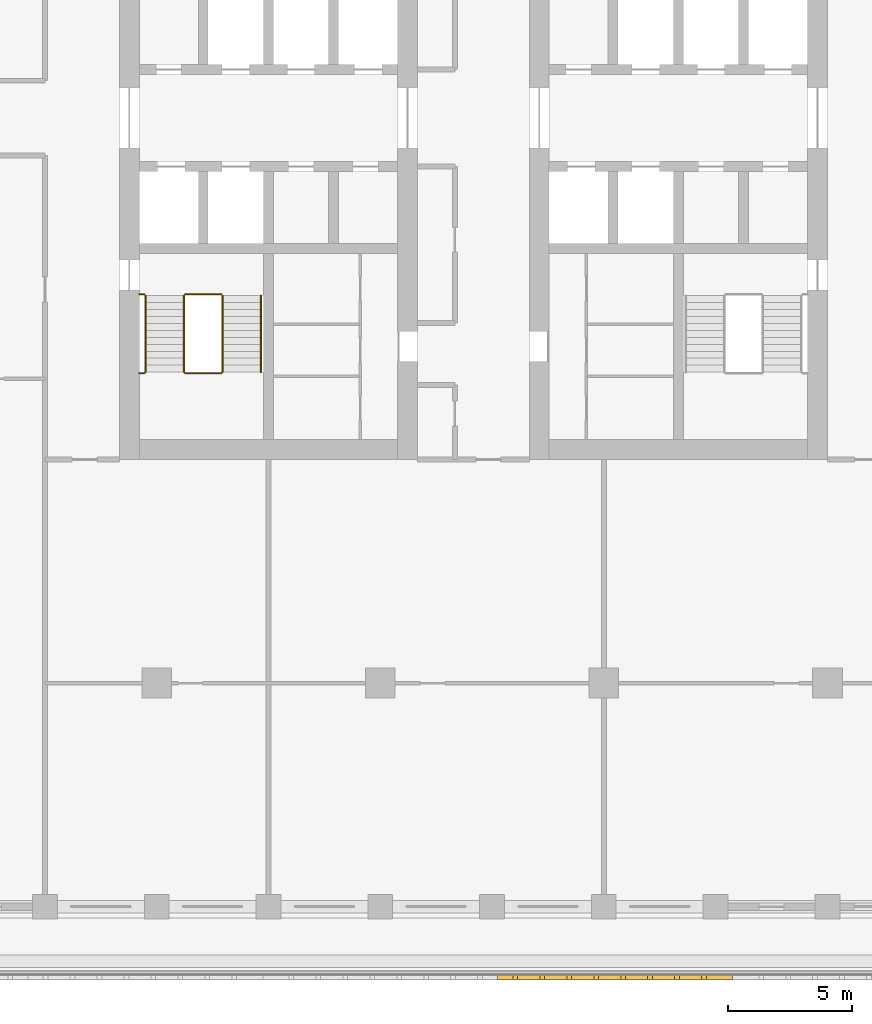
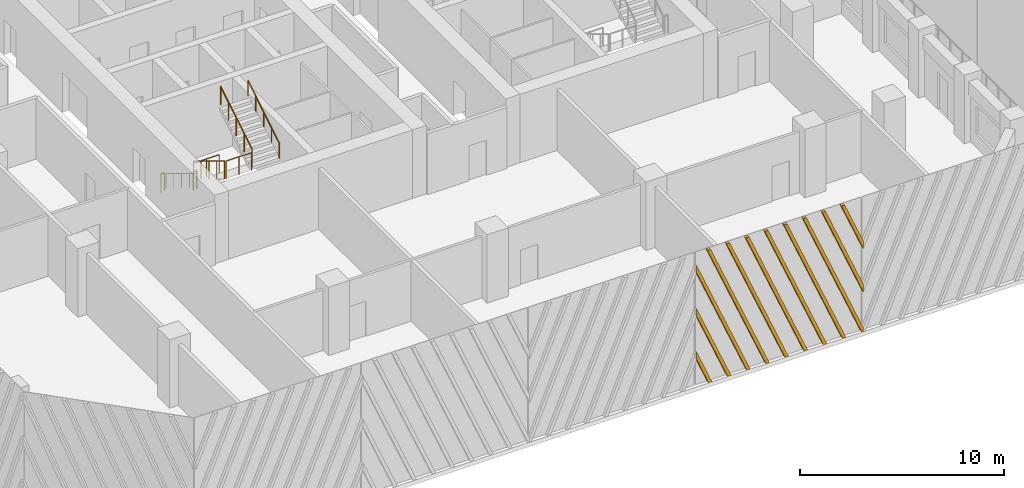
# One storey, part 10 of 16: 8 railings, 1 shading device.
"""IFC4 building model written with IfcOpenShell, lengths in metres."""

from ifc_helpers import new_model, si_unit, direction, frame, origin, origin_2d, place, context, subcontext, project, spatial, polyline, circle, outline, extrude, source, transform, mapped, material, type_object, element, save


model = new_model("IFC4")

# Units and contexts
model_context = context("Model", 3, precision=1e-05, world=origin(), true_north=direction((0.0, 1.0)))
body_context = subcontext(model_context, "Body", "Model", "MODEL_VIEW")
ifc_project = project(units=[si_unit("LENGTHUNIT", "METRE"), si_unit("AREAUNIT", "SQUARE_METRE"), si_unit("VOLUMEUNIT", "CUBIC_METRE"), si_unit("PLANEANGLEUNIT", "RADIAN"), si_unit("MASSUNIT", "GRAM", prefix="KILO")], contexts=[model_context])

# Site, building, storey
site_placement = place(None, origin())
site = spatial("IfcSite", under=ifc_project, at=site_placement, CompositionType="ELEMENT")
building_placement = place(site_placement, origin())
building = spatial("IfcBuilding", under=site, at=building_placement, Name="Corbel Stack Research Tower", CompositionType="ELEMENT")
storey_placement = place(building_placement, frame((0.0, 0.0, 173.199951171875)))
storey = spatial("IfcBuildingStorey", under=building, at=storey_placement, Name="L39", CompositionType="ELEMENT", Elevation=173.199951171875)

# Railings
ifc_material_1 = material(Name="Steel S355", Category="steel")
railing_type_1 = type_object("IfcRailingType", Name="Stair guard 1100", PredefinedType="GUARDRAIL", material=ifc_material_1)
railing_1_placement = place(storey_placement, frame((-7.89990234375, -2.39990234375, 0.1708984375)))
element("IfcRailing", 1, at=railing_1_placement, inside=storey, type_object=railing_type_1, Name="L39 ST-W1 stair guard 1", PredefinedType="GUARDRAIL", context=body_context, shape_type="SweptSolid", body=[
    extrude(circle(Radius=0.02392578125, at=origin_2d()), frame((0.0, 0.0, 1.076171875), z_axis=(0.0, -0.853666305674, 0.52082035152), x_axis=(1.0, 0.0, 0.0)), (0.0, 0.0, 1.0), 3.608154296875),
    extrude(circle(Radius=0.02099609375, at=origin_2d()), origin(), (0.0, 0.0, 1.0), 1.052001953125),
    extrude(circle(Radius=0.02099609375, at=origin_2d()), frame((0.0, -0.77001953125, 0.4697265625)), (0.0, 0.0, 1.0), 1.052001953125),
    extrude(circle(Radius=0.02099609375, at=origin_2d()), frame((0.0, -1.5400390625, 0.939453125)), (0.0, 0.0, 1.0), 1.052001953125),
    extrude(circle(Radius=0.02099609375, at=origin_2d()), frame((0.0, -2.31005859375, 1.409423828125)), (0.0, 0.0, 1.0), 1.052001953125),
    extrude(circle(Radius=0.02099609375, at=origin_2d()), frame((0.0, -3.080078125, 1.879150390625)), (0.0, 0.0, 1.0), 1.052001953125),
])
railing_2_placement = place(storey_placement, frame((-7.85009765625, -5.530029296875, 2.050048828125)))
element("IfcRailing", 2, at=railing_2_placement, inside=storey, type_object=railing_type_1, Name="L39 ST-W1 stair guard 2", PredefinedType="GUARDRAIL", context=body_context, shape_type="SweptSolid", body=[
    extrude(circle(Radius=0.02392578125, at=origin_2d()), frame((0.0, 0.0, 1.076171875), z_axis=(1.0, 0.0, 0.0), x_axis=(0.0, 1.0, 0.0)), (0.0, 0.0, 1.0), 1.4501953125),
    extrude(circle(Radius=0.02099609375, at=origin_2d()), origin(), (0.0, 0.0, 1.0), 1.052001953125),
    extrude(circle(Radius=0.02099609375, at=origin_2d()), frame((0.72509765625, 0.0, 0.0)), (0.0, 0.0, 1.0), 1.052001953125),
    extrude(circle(Radius=0.02099609375, at=origin_2d()), frame((1.4501953125, 0.0, 0.0)), (0.0, 0.0, 1.0), 1.052001953125),
])
railing_3_placement = place(storey_placement, frame((-9.699951171875, -5.530029296875, 2.050048828125)))
element("IfcRailing", 3, at=railing_3_placement, inside=storey, type_object=railing_type_1, Name="L39 ST-W1 stair guard 3", PredefinedType="GUARDRAIL", context=body_context, shape_type="SweptSolid", body=[
    extrude(circle(Radius=0.02392578125, at=origin_2d()), frame((0.0, 0.0, 1.076171875), z_axis=(1.0, 0.0, 0.0), x_axis=(0.0, 1.0, 0.0)), (0.0, 0.0, 1.0), 0.199951171875),
    extrude(circle(Radius=0.02099609375, at=origin_2d()), origin(), (0.0, 0.0, 1.0), 1.052001953125),
    extrude(circle(Radius=0.02099609375, at=origin_2d()), frame((0.199951171875, 0.0, 0.0)), (0.0, 0.0, 1.0), 1.052001953125),
])
railing_4_placement = place(storey_placement, frame((-6.35009765625, -5.47998046875, 2.220947265625)))
element("IfcRailing", 4, at=railing_4_placement, inside=storey, type_object=railing_type_1, Name="L39 ST-W1 stair guard 4", PredefinedType="GUARDRAIL", context=body_context, shape_type="SweptSolid", body=[
    extrude(circle(Radius=0.02392578125, at=origin_2d()), frame((0.0, 0.0, 1.076171875), z_axis=(0.0, 0.853666305674, 0.52082035152), x_axis=(-1.0, 0.0, 0.0)), (0.0, 0.0, 1.0), 3.608154296875),
    extrude(circle(Radius=0.02099609375, at=origin_2d()), origin(), (0.0, 0.0, 1.0), 1.052001953125),
    extrude(circle(Radius=0.02099609375, at=origin_2d()), frame((0.0, 0.77001953125, 0.4697265625)), (0.0, 0.0, 1.0), 1.052001953125),
    extrude(circle(Radius=0.02099609375, at=origin_2d()), frame((0.0, 1.5400390625, 0.939453125)), (0.0, 0.0, 1.0), 1.052001953125),
    extrude(circle(Radius=0.02099609375, at=origin_2d()), frame((0.0, 2.31005859375, 1.409423828125)), (0.0, 0.0, 1.0), 1.052001953125),
    extrude(circle(Radius=0.02099609375, at=origin_2d()), frame((0.0, 3.080078125, 1.879150390625)), (0.0, 0.0, 1.0), 1.052001953125),
])
railing_5_placement = place(storey_placement, frame((-7.85009765625, -2.35009765625, 0.0)))
element("IfcRailing", 5, at=railing_5_placement, inside=storey, type_object=railing_type_1, Name="L39 ST-W1 stair guard 5", PredefinedType="GUARDRAIL", context=body_context, shape_type="SweptSolid", body=[
    extrude(circle(Radius=0.02392578125, at=origin_2d()), frame((0.0, 0.0, 1.076171875), z_axis=(1.0, 0.0, 0.0), x_axis=(0.0, 1.0, 0.0)), (0.0, 0.0, 1.0), 1.4501953125),
    extrude(circle(Radius=0.02099609375, at=origin_2d()), origin(), (0.0, 0.0, 1.0), 1.052001953125),
    extrude(circle(Radius=0.02099609375, at=origin_2d()), frame((0.72509765625, 0.0, 0.0)), (0.0, 0.0, 1.0), 1.052001953125),
    extrude(circle(Radius=0.02099609375, at=origin_2d()), frame((1.4501953125, 0.0, 0.0)), (0.0, 0.0, 1.0), 1.052001953125),
])
railing_6_placement = place(storey_placement, frame((-9.699951171875, -2.35009765625, 0.0)))
element("IfcRailing", 6, at=railing_6_placement, inside=storey, type_object=railing_type_1, Name="L39 ST-W1 stair guard 6", PredefinedType="GUARDRAIL", context=body_context, shape_type="SweptSolid", body=[
    extrude(circle(Radius=0.02392578125, at=origin_2d()), frame((0.0, 0.0, 1.076171875), z_axis=(1.0, 0.0, 0.0), x_axis=(0.0, 1.0, 0.0)), (0.0, 0.0, 1.0), 0.199951171875),
    extrude(circle(Radius=0.02099609375, at=origin_2d()), origin(), (0.0, 0.0, 1.0), 1.052001953125),
    extrude(circle(Radius=0.02099609375, at=origin_2d()), frame((0.199951171875, 0.0, 0.0)), (0.0, 0.0, 1.0), 1.052001953125),
])
ifc_material_2 = material(Name="Steel S355", Category="steel")
railing_type_2 = type_object("IfcRailingType", Name="Stair handrail 900", PredefinedType="HANDRAIL", material=ifc_material_2)
railing_7_placement = place(storey_placement, frame((-9.449951171875, -2.39990234375, 0.1708984375)))
element("IfcRailing", 7, at=railing_7_placement, inside=storey, type_object=railing_type_2, Name="L39 ST-W1 stair handrail 1", PredefinedType="HANDRAIL", context=body_context, shape_type="SweptSolid", body=[
    extrude(circle(Radius=0.02392578125, at=origin_2d()), frame((0.0, 0.0, 0.8759765625), z_axis=(0.0, -0.853666305674, 0.52082035152), x_axis=(1.0, 0.0, 0.0)), (0.0, 0.0, 1.0), 3.608154296875),
    extrude(circle(Radius=0.02099609375, at=origin_2d()), origin(), (0.0, 0.0, 1.0), 0.851806640625),
    extrude(circle(Radius=0.02099609375, at=origin_2d()), frame((0.0, -0.77001953125, 0.4697265625)), (0.0, 0.0, 1.0), 0.851806640625),
    extrude(circle(Radius=0.02099609375, at=origin_2d()), frame((0.0, -1.5400390625, 0.939453125)), (0.0, 0.0, 1.0), 0.851806640625),
    extrude(circle(Radius=0.02099609375, at=origin_2d()), frame((0.0, -2.31005859375, 1.409423828125)), (0.0, 0.0, 1.0), 0.851806640625),
    extrude(circle(Radius=0.02099609375, at=origin_2d()), frame((0.0, -3.080078125, 1.879150390625)), (0.0, 0.0, 1.0), 0.851806640625),
])
railing_8_placement = place(storey_placement, frame((-4.800048828125, -5.47998046875, 2.220947265625)))
element("IfcRailing", 8, at=railing_8_placement, inside=storey, type_object=railing_type_2, Name="L39 ST-W1 stair handrail 2", PredefinedType="HANDRAIL", context=body_context, shape_type="SweptSolid", body=[
    extrude(circle(Radius=0.02392578125, at=origin_2d()), frame((0.0, 0.0, 0.8759765625), z_axis=(0.0, 0.853666305674, 0.52082035152), x_axis=(-1.0, 0.0, 0.0)), (0.0, 0.0, 1.0), 3.608154296875),
    extrude(circle(Radius=0.02099609375, at=origin_2d()), origin(), (0.0, 0.0, 1.0), 0.851806640625),
    extrude(circle(Radius=0.02099609375, at=origin_2d()), frame((0.0, 0.77001953125, 0.4697265625)), (0.0, 0.0, 1.0), 0.851806640625),
    extrude(circle(Radius=0.02099609375, at=origin_2d()), frame((0.0, 1.5400390625, 0.939453125)), (0.0, 0.0, 1.0), 0.851806640625),
    extrude(circle(Radius=0.02099609375, at=origin_2d()), frame((0.0, 2.31005859375, 1.409423828125)), (0.0, 0.0, 1.0), 0.851806640625),
    extrude(circle(Radius=0.02099609375, at=origin_2d()), frame((0.0, 3.080078125, 1.879150390625)), (0.0, 0.0, 1.0), 0.851806640625),
])

# Shading device
ifc_material_3 = material(Name="Precast terracotta", Category="masonry")
shading_device_type = type_object("IfcShadingDeviceType", Name="Terracotta screen panel", PredefinedType="USERDEFINED", material=ifc_material_3)
shared_shape = source(origin(), body_context, "Body", "SweptSolid", [
    extrude(outline(polyline([(0.873291015625, 0.0), (0.0, 2.091064453125), (0.0, 1.635986328125), (0.683349609375, 0.0), (0.873291015625, 0.0)])), frame((0.0, 0.0, 0.0), z_axis=(0.0, -1.0, 0.0), x_axis=(1.0, 0.0, 0.0)), (0.0, 0.0, 1.0), 0.179931640625),
    extrude(outline(polyline([(1.9580078125, 0.0), (0.0, 4.688232421875), (0.0, 4.2333984375), (1.76806640625, 0.0), (1.9580078125, 0.0)])), frame((0.0, 0.0, 0.0), z_axis=(0.0, -1.0, 0.0), x_axis=(1.0, 0.0, 0.0)), (0.0, 0.0, 1.0), 0.179931640625),
    extrude(outline(polyline([(3.04248046875, 0.0), (0.0, 7.285400390625), (0.0, 6.83056640625), (2.8525390625, 0.0), (3.04248046875, 0.0)])), frame((0.0, 0.0, 0.0), z_axis=(0.0, -1.0, 0.0), x_axis=(1.0, 0.0, 0.0)), (0.0, 0.0, 1.0), 0.179931640625),
    extrude(outline(polyline([(4.127197265625, 0.0), (0.80712890625, 7.949951171875), (0.6171875, 7.949951171875), (3.937255859375, 0.0), (4.127197265625, 0.0)])), frame((0.0, 0.0, 0.0), z_axis=(0.0, -1.0, 0.0), x_axis=(1.0, 0.0, 0.0)), (0.0, 0.0, 1.0), 0.179931640625),
    extrude(outline(polyline([(5.2119140625, 0.0), (1.891845703125, 7.949951171875), (1.701904296875, 7.949951171875), (5.02197265625, 0.0), (5.2119140625, 0.0)])), frame((0.0, 0.0, 0.0), z_axis=(0.0, -1.0, 0.0), x_axis=(1.0, 0.0, 0.0)), (0.0, 0.0, 1.0), 0.179931640625),
    extrude(outline(polyline([(6.296630859375, 0.0), (2.9765625, 7.949951171875), (2.78662109375, 7.949951171875), (6.106689453125, 0.0), (6.296630859375, 0.0)])), frame((0.0, 0.0, 0.0), z_axis=(0.0, -1.0, 0.0), x_axis=(1.0, 0.0, 0.0)), (0.0, 0.0, 1.0), 0.179931640625),
    extrude(outline(polyline([(7.38134765625, 0.0), (4.06103515625, 7.949951171875), (3.87109375, 7.949951171875), (7.19140625, 0.0), (7.38134765625, 0.0)])), frame((0.0, 0.0, 0.0), z_axis=(0.0, -1.0, 0.0), x_axis=(1.0, 0.0, 0.0)), (0.0, 0.0, 1.0), 0.179931640625),
    extrude(outline(polyline([(8.466064453125, 0.0), (5.145751953125, 7.949951171875), (4.955810546875, 7.949951171875), (8.27587890625, 0.0), (8.466064453125, 0.0)])), frame((0.0, 0.0, 0.0), z_axis=(0.0, -1.0, 0.0), x_axis=(1.0, 0.0, 0.0)), (0.0, 0.0, 1.0), 0.179931640625),
    extrude(outline(polyline([(9.45556640625, 0.0), (9.45556640625, 0.2275390625), (6.23046875, 7.949951171875), (6.04052734375, 7.949951171875), (9.360595703125, 0.0), (9.45556640625, 0.0)])), frame((0.0, 0.0, 0.0), z_axis=(0.0, -1.0, 0.0), x_axis=(1.0, 0.0, 0.0)), (0.0, 0.0, 1.0), 0.179931640625),
    extrude(outline(polyline([(7.315185546875, 7.949951171875), (7.125, 7.949951171875), (9.45556640625, 2.36962890625), (9.45556640625, 2.82470703125), (7.315185546875, 7.949951171875)])), frame((0.0, 0.0, 0.0), z_axis=(0.0, -1.0, 0.0), x_axis=(1.0, 0.0, 0.0)), (0.0, 0.0, 1.0), 0.179931640625),
    extrude(outline(polyline([(8.39990234375, 7.949951171875), (8.209716796875, 7.949951171875), (9.45556640625, 4.966796875), (9.45556640625, 5.421875), (8.39990234375, 7.949951171875)])), frame((0.0, 0.0, 0.0), z_axis=(0.0, -1.0, 0.0), x_axis=(1.0, 0.0, 0.0)), (0.0, 0.0, 1.0), 0.179931640625),
])
shading_device_placement = place(storey_placement, frame((4.727783203125, -29.75, 0.0), z_axis=(0.0, 0.0, 1.0), x_axis=(1.0, 0.0, 0.0)))
element("IfcShadingDevice", 9, at=shading_device_placement, inside=storey, type_object=shading_device_type, Name="Terracotta screen L39 S4", ObjectType="SCREEN", PredefinedType="USERDEFINED", context=body_context, shape_type="MappedRepresentation", body=[
    mapped(shared_shape, transform((0.0, 0.0, 0.0))),
])

save(model, "model.ifc")
